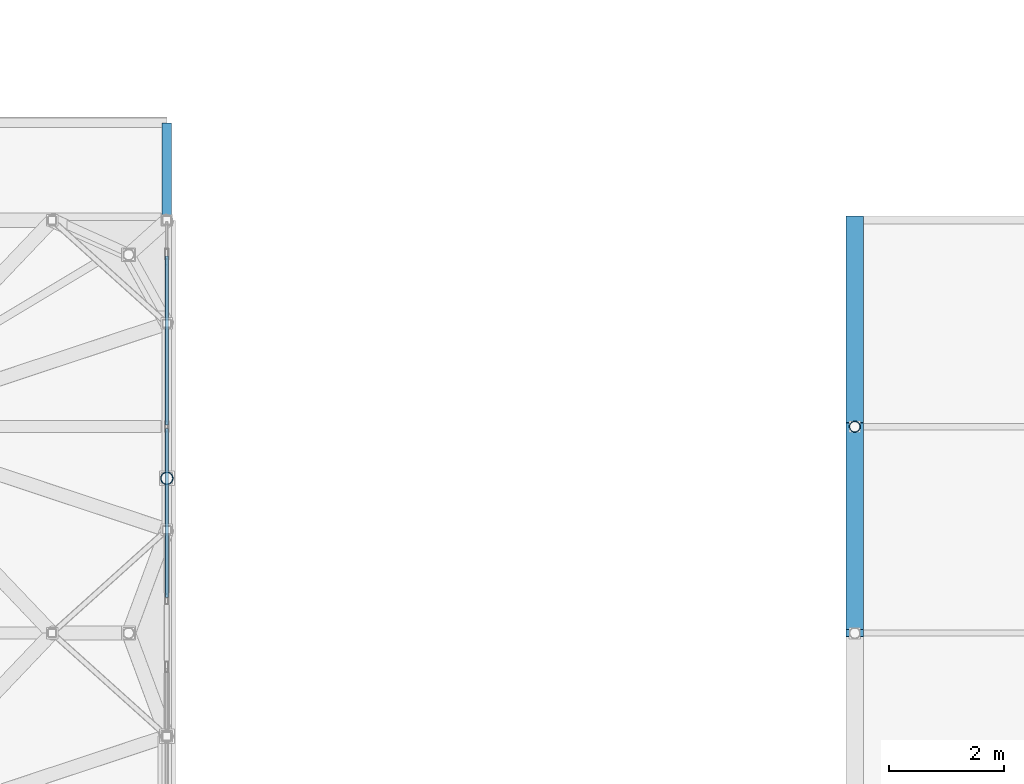
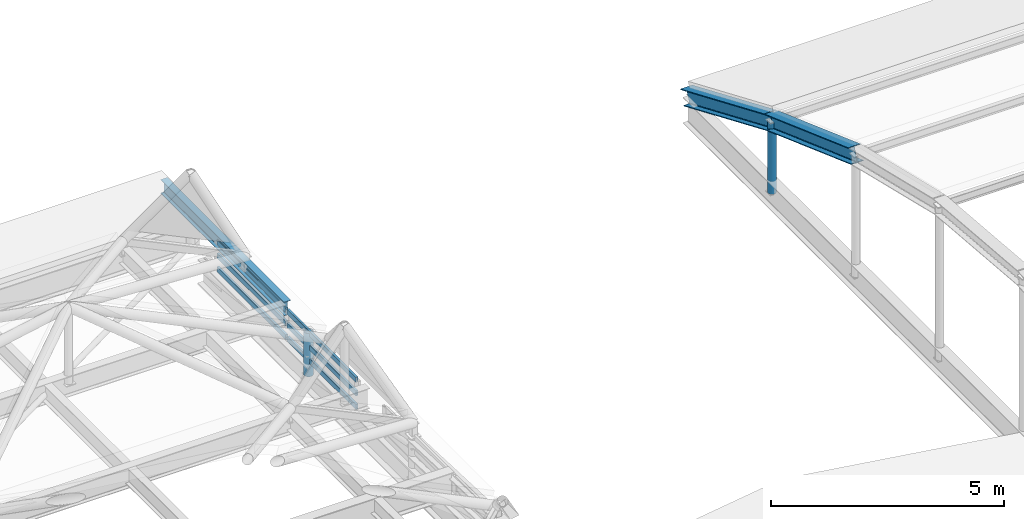
# One storey, part 152 of 239: 8 members, 3 beams, 1 element without a shape of its own.
"""IFC4 building model written with IfcOpenShell, lengths in metres."""

from ifc_helpers import new_model, si_unit, direction, frame, origin, origin_2d, place, context, subcontext, project, spatial, hollow_rectangle, hollow_circle, i_section, extrude, material, layer, layer_set, material_profile, profile_set, type_object, element, aggregate, save


model = new_model("IFC4")

# Units and contexts
model_context = context("Model", 3, precision=1e-05, world=origin(), true_north=direction((0.0, 1.0)))
body_context = subcontext(model_context, "Body", "Model", "MODEL_VIEW")
ifc_project = project(units=[si_unit("LENGTHUNIT", "METRE"), si_unit("AREAUNIT", "SQUARE_METRE"), si_unit("VOLUMEUNIT", "CUBIC_METRE"), si_unit("PLANEANGLEUNIT", "RADIAN"), si_unit("MASSUNIT", "GRAM", prefix="KILO")], contexts=[model_context])

# Site, building, storey
site_placement = place(None, origin())
site = spatial("IfcSite", under=ifc_project, at=site_placement, CompositionType="ELEMENT")
building_placement = place(site_placement, origin())
building = spatial("IfcBuilding", under=site, at=building_placement, Name="Dunvalen Ferry Terminal", CompositionType="ELEMENT")
storey_placement = place(building_placement, frame((0.0, 0.0, 9.840087890625)))
storey = spatial("IfcBuildingStorey", under=building, at=storey_placement, Name="L02", CompositionType="ELEMENT", Elevation=9.840087890625)

# Curtain wall, members
ifc_material_1 = material(Name="Anodised marine aluminium and solar-control glazing", Category="aluminium")
ifc_layer = layer(ifc_material_1, 0.219970703125, Name="Anodised marine aluminium and solar-control glazing")
ifc_layer_set = layer_set([ifc_layer], Name="Anodised marine aluminium and solar-control glazing")
curtain_wall_type = type_object("IfcCurtainWallType", Name="ENV-CW-SYS-04", PredefinedType="NOTDEFINED", material=ifc_layer_set)
curtain_wall_placement = place(storey_placement, origin())
curtain_wall = element("IfcCurtainWall", 1, at=curtain_wall_placement, inside=storey, type_object=curtain_wall_type, Name="L02 Curtain Wall CW-V1E-CLR-05", PredefinedType="NOTDEFINED")
ifc_material_2 = material(Name="Anodised marine aluminium EN AW-6063 T6", Category="aluminium")
ifc_material_profile_1 = material_profile(ifc_material_2, hollow_rectangle(XDim=0.06005859375, YDim=0.135009765625, WallThickness=0.003173828125, InnerFilletRadius=0.003173828125, OuterFilletRadius=0.00634765625, at=origin_2d()), Name="Anodised marine aluminium EN AW-6063 T6")
ifc_profile_set_1 = profile_set([ifc_material_profile_1], Name="Anodised marine aluminium EN AW-6063 T6")
member_type_1 = type_object("IfcMemberType", Name="ENV-CW-TRN-2", PredefinedType="USERDEFINED", material=ifc_profile_set_1)
member_1_placement = place(storey_placement, frame((96.0, 79.820068359375, 0.039794921875), z_axis=(0.0, 1.0, 0.0), x_axis=(-1.0, 0.0, 0.0)))
member_1 = element("IfcMember", 2, at=member_1_placement, type_object=member_type_1, Name="CW-04 transom 1.1", ObjectType="TRANSOM", PredefinedType="USERDEFINED", context=body_context, shape_type="SweptSolid", body=[
    extrude(hollow_rectangle(XDim=0.06005859375, YDim=0.135009765625, WallThickness=0.003173828125, InnerFilletRadius=0.003173828125, OuterFilletRadius=0.00634765625, at=origin_2d()), origin(), (0.0, 0.0, 1.0), 2.949951171875),
])
member_2_placement = place(storey_placement, frame((96.0, 79.820068359375, 0.39501953125), z_axis=(0.0, 1.0, 0.0), x_axis=(-1.0, 0.0, 0.0)))
member_2 = element("IfcMember", 3, at=member_2_placement, type_object=member_type_1, Name="CW-04 transom 1.2", ObjectType="TRANSOM", PredefinedType="USERDEFINED", context=body_context, shape_type="SweptSolid", body=[
    extrude(hollow_rectangle(XDim=0.06005859375, YDim=0.135009765625, WallThickness=0.003173828125, InnerFilletRadius=0.003173828125, OuterFilletRadius=0.00634765625, at=origin_2d()), origin(), (0.0, 0.0, 1.0), 2.949951171875),
])
member_3_placement = place(storey_placement, frame((96.0, 79.820068359375, 0.75), z_axis=(0.0, 1.0, 0.0), x_axis=(-1.0, 0.0, 0.0)))
member_3 = element("IfcMember", 4, at=member_3_placement, type_object=member_type_1, Name="CW-04 transom 1.3", ObjectType="TRANSOM", PredefinedType="USERDEFINED", context=body_context, shape_type="SweptSolid", body=[
    extrude(hollow_rectangle(XDim=0.06005859375, YDim=0.135009765625, WallThickness=0.003173828125, InnerFilletRadius=0.003173828125, OuterFilletRadius=0.00634765625, at=origin_2d()), origin(), (0.0, 0.0, 1.0), 2.949951171875),
])
member_4_placement = place(storey_placement, frame((96.0, 82.830078125, 0.039794921875), z_axis=(0.0, 1.0, 0.0), x_axis=(-1.0, 0.0, 0.0)))
member_4 = element("IfcMember", 5, at=member_4_placement, type_object=member_type_1, Name="CW-04 transom 2.1", ObjectType="TRANSOM", PredefinedType="USERDEFINED", context=body_context, shape_type="SweptSolid", body=[
    extrude(hollow_rectangle(XDim=0.06005859375, YDim=0.135009765625, WallThickness=0.003173828125, InnerFilletRadius=0.003173828125, OuterFilletRadius=0.00634765625, at=origin_2d()), origin(), (0.0, 0.0, 1.0), 2.949951171875),
])
member_5_placement = place(storey_placement, frame((96.0, 82.830078125, 0.39501953125), z_axis=(0.0, 1.0, 0.0), x_axis=(-1.0, 0.0, 0.0)))
member_5 = element("IfcMember", 6, at=member_5_placement, type_object=member_type_1, Name="CW-04 transom 2.2", ObjectType="TRANSOM", PredefinedType="USERDEFINED", context=body_context, shape_type="SweptSolid", body=[
    extrude(hollow_rectangle(XDim=0.06005859375, YDim=0.135009765625, WallThickness=0.003173828125, InnerFilletRadius=0.003173828125, OuterFilletRadius=0.00634765625, at=origin_2d()), origin(), (0.0, 0.0, 1.0), 2.949951171875),
])
member_6_placement = place(storey_placement, frame((96.0, 82.830078125, 0.75), z_axis=(0.0, 1.0, 0.0), x_axis=(-1.0, 0.0, 0.0)))
member_6 = element("IfcMember", 7, at=member_6_placement, type_object=member_type_1, Name="CW-04 transom 2.3", ObjectType="TRANSOM", PredefinedType="USERDEFINED", context=body_context, shape_type="SweptSolid", body=[
    extrude(hollow_rectangle(XDim=0.06005859375, YDim=0.135009765625, WallThickness=0.003173828125, InnerFilletRadius=0.003173828125, OuterFilletRadius=0.00634765625, at=origin_2d()), origin(), (0.0, 0.0, 1.0), 2.949951171875),
])
aggregate(curtain_wall, [member_1, member_2, member_3, member_4, member_5, member_6])

# Beams
ifc_material_3 = material(Name="Steel S355", Category="steel")
ifc_material_profile_2 = material_profile(ifc_material_3, i_section(OverallWidth=0.300048828125, OverallDepth=0.389892578125, WebThickness=0.010986328125, FlangeThickness=0.01904296875, FilletRadius=0.027099609375, at=origin_2d()), Name="Steel S355")
ifc_profile_set_2 = profile_set([ifc_material_profile_2], Name="Steel S355")
beam_type_1 = type_object("IfcBeamType", Name="STR-BM-HEA400", PredefinedType="BEAM", material=ifc_profile_set_2)
beam_1_placement = place(storey_placement, frame((108.0, 79.199951171875, 2.828369140625), z_axis=(0.0, 0.940736051004, -0.33913962072), x_axis=(-1.0, 0.0, 0.0)))
element("IfcBeam", 8, at=beam_1_placement, inside=storey, type_object=beam_type_1, Name="Arrivals Hall Barrel-Vault Arch Rib 01.7", PredefinedType="BEAM", context=body_context, shape_type="SweptSolid", body=[
    extrude(i_section(OverallWidth=0.300048828125, OverallDepth=0.389892578125, WebThickness=0.010986328125, FlangeThickness=0.01904296875, FilletRadius=0.027099609375, at=origin_2d()), origin(), (0.0, 0.0, 1.0), 3.826904296875),
])
beam_2_placement = place(storey_placement, frame((108.0, 82.800048828125, 1.530517578125), z_axis=(0.0, 0.920277550042, -0.391266189299), x_axis=(-1.0, 0.0, 0.0)))
element("IfcBeam", 9, at=beam_2_placement, inside=storey, type_object=beam_type_1, Name="Arrivals Hall Barrel-Vault Arch Rib 01.8", PredefinedType="BEAM", context=body_context, shape_type="SweptSolid", body=[
    extrude(i_section(OverallWidth=0.300048828125, OverallDepth=0.389892578125, WebThickness=0.010986328125, FlangeThickness=0.01904296875, FilletRadius=0.027099609375, at=origin_2d()), origin(), (0.0, 0.0, 1.0), 3.91162109375),
])
ifc_material_profile_3 = material_profile(ifc_material_3, i_section(OverallWidth=0.169921875, OverallDepth=0.360107421875, WebThickness=0.008056640625, FlangeThickness=0.0126953125, FilletRadius=0.01806640625, at=origin_2d()), Name="Steel S355")
ifc_profile_set_3 = profile_set([ifc_material_profile_3], Name="Steel S355")
beam_type_2 = type_object("IfcBeamType", Name="STR-BM-IPE360", PredefinedType="BEAM", material=ifc_profile_set_3)
beam_3_placement = place(storey_placement, frame((96.0, 82.800048828125, 0.81982421875), z_axis=(0.0, 1.0, 0.0), x_axis=(-1.0, 0.0, 0.0)))
element("IfcBeam", 10, at=beam_3_placement, inside=storey, type_object=beam_type_2, Name="Departure Hall North Eave Outrigger 15", PredefinedType="BEAM", context=body_context, shape_type="SweptSolid", body=[
    extrude(i_section(OverallWidth=0.169921875, OverallDepth=0.360107421875, WebThickness=0.008056640625, FlangeThickness=0.0126953125, FilletRadius=0.01806640625, at=origin_2d()), origin(), (0.0, 0.0, 1.0), 5.300048828125),
])

# Members
ifc_material_profile_4 = material_profile(ifc_material_3, hollow_circle(Radius=0.096923828125, WallThickness=0.008056640625, at=origin_2d()), Name="Steel S355")
ifc_profile_set_4 = profile_set([ifc_material_profile_4], Name="Steel S355")
member_type_2 = type_object("IfcMemberType", Name="STR-MB-CHS193", PredefinedType="STRUT", material=ifc_profile_set_4)
member_7_placement = place(storey_placement, frame((108.0, 82.800048828125, -0.340087890625), z_axis=(0.0, 0.0, 1.0), x_axis=(1.0, 0.0, 0.0)))
element("IfcMember", 11, at=member_7_placement, inside=storey, type_object=member_type_2, Name="Arrivals Hall Vault Hanger 01.7", PredefinedType="STRUT", context=body_context, shape_type="SweptSolid", body=[
    extrude(hollow_circle(Radius=0.096923828125, WallThickness=0.008056640625, at=origin_2d()), origin(), (0.0, 0.0, 1.0), 1.87060546875),
])
ifc_material_profile_5 = material_profile(ifc_material_3, hollow_circle(Radius=0.109619140625, WallThickness=0.010009765625, at=origin_2d()), Name="Steel S355")
ifc_profile_set_5 = profile_set([ifc_material_profile_5], Name="Steel S355")
member_type_3 = type_object("IfcMemberType", Name="STR-MB-CHS219", PredefinedType="STRUT", material=ifc_profile_set_5)
member_8_placement = place(storey_placement, frame((96.0, 81.89990234375, -0.360107421875), z_axis=(0.0, 0.0, 1.0), x_axis=(1.0, 0.0, 0.0)))
element("IfcMember", 12, at=member_8_placement, inside=storey, type_object=member_type_3, Name="Departure Hall Arch Spandrel Strut 08.7", PredefinedType="STRUT", context=body_context, shape_type="SweptSolid", body=[
    extrude(hollow_circle(Radius=0.109619140625, WallThickness=0.010009765625, at=origin_2d()), origin(), (0.0, 0.0, 1.0), 1.130126953125),
])

save(model, "model.ifc")
